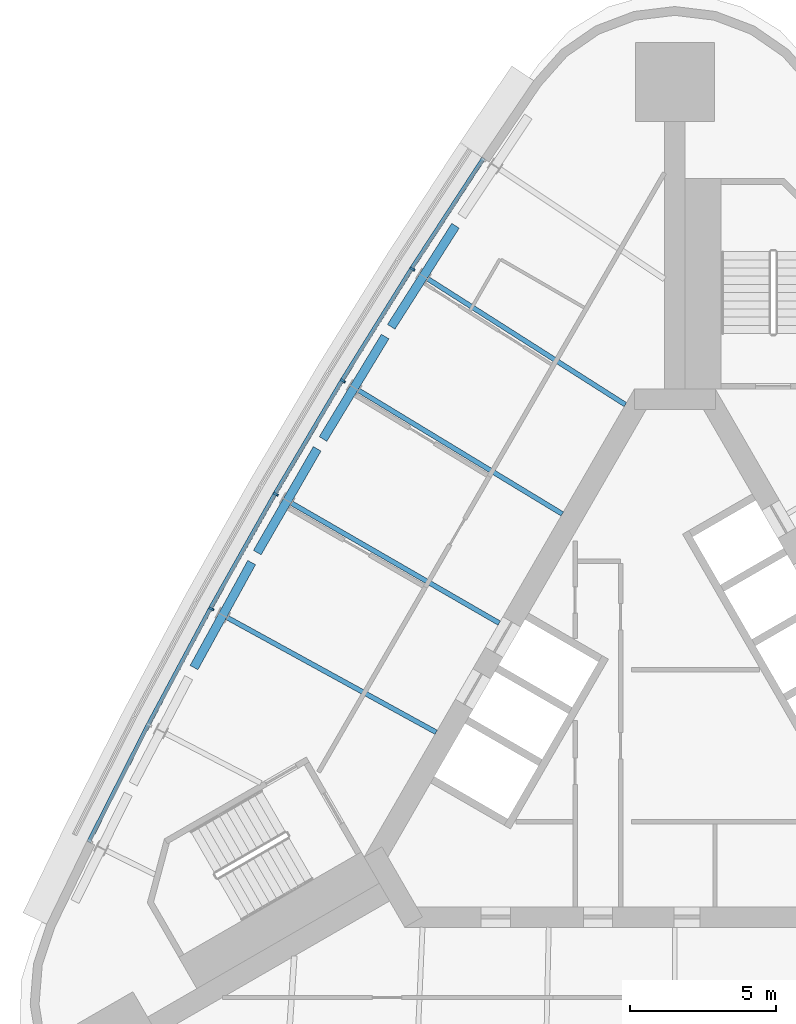
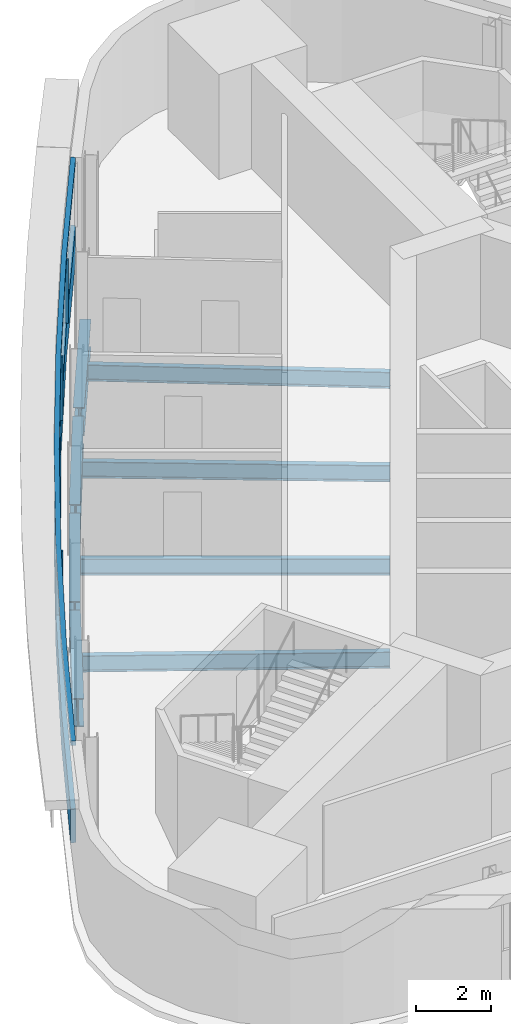
# One storey, part 3 of 10: 8 beams, 6 members, 1 element without a shape of its own.
"""IFC4 building model written with IfcOpenShell, lengths in metres."""

from ifc_helpers import new_model, si_unit, direction, frame, origin, origin_2d, place, context, subcontext, project, spatial, polyline, rectangle, i_section, outline, extrude, material, material_profile, profile_set, type_object, element, aggregate, save


model = new_model("IFC4")

# Units and contexts
model_context = context("Model", 3, precision=1e-05, world=origin(), true_north=direction((0.0, 1.0)))
body_context = subcontext(model_context, "Body", "Model", "MODEL_VIEW")
ifc_project = project(units=[si_unit("LENGTHUNIT", "METRE"), si_unit("AREAUNIT", "SQUARE_METRE"), si_unit("VOLUMEUNIT", "CUBIC_METRE"), si_unit("PLANEANGLEUNIT", "RADIAN"), si_unit("MASSUNIT", "GRAM", prefix="KILO")], contexts=[model_context])

# Site, building, storey
site_placement = place(None, origin())
site = spatial("IfcSite", under=ifc_project, at=site_placement, CompositionType="ELEMENT")
building_placement = place(site_placement, origin())
building = spatial("IfcBuilding", under=site, at=building_placement, Name="Noor Cloister Tower", CompositionType="ELEMENT")
storey_placement = place(building_placement, frame((0.0, 0.0, 192.300048828125)))
storey = spatial("IfcBuildingStorey", under=building, at=storey_placement, Name="L49", CompositionType="ELEMENT", Elevation=192.300048828125)

# Curtain wall, members
ifc_material_1 = material(Name="Aluminium 6063-T6 anodised", Category="aluminium")
curtain_wall_type = type_object("IfcCurtainWallType", Name="Ribbon curtain wall, upper tower CW5", PredefinedType="NOTDEFINED", material=ifc_material_1)
curtain_wall_placement = place(storey_placement, origin())
curtain_wall = element("IfcCurtainWall", 1, at=curtain_wall_placement, inside=storey, type_object=curtain_wall_type, Name="CW5 L49 NW run 1", PredefinedType="NOTDEFINED")
ifc_material_2 = material(Name="Aluminium 6063-T6 anodised", Category="aluminium")
member_type_1 = type_object("IfcMemberType", Name="Head transom CW5 150", PredefinedType="USERDEFINED", material=ifc_material_2)
member_1_placement = place(storey_placement, frame((0.0, 0.0, 3.14990234375)))
member_1 = element("IfcMember", 2, at=member_1_placement, type_object=member_type_1, Name="CW5 head transom", ObjectType="TRANSOM", PredefinedType="USERDEFINED", context=body_context, shape_type="SweptSolid", body=[
    extrude(outline(polyline([(-6.59521484375, 19.38525390625), (-9.052490234375, 15.615478515625), (-11.427734375, 11.79345703125), (-13.7197265625, 7.921142578125), (-15.927490234375, 4.0), (-18.0498046875, 0.031982421875), (-20.085693359375, -3.98095703125), (-19.960693359375, -4.04443359375), (-17.925537109375, -0.03271484375), (-15.8046875, 3.9326171875), (-13.598388671875, 7.85107421875), (-11.30810546875, 11.720947265625), (-8.934326171875, 15.540283203125), (-6.477783203125, 19.308837890625), (-6.59521484375, 19.38525390625)])), origin(), (0.0, 0.0, 1.0), 0.150146484375),
])
ifc_material_3 = material(Name="Aluminium 6063-T6 anodised", Category="aluminium")
ifc_material_profile_1 = material_profile(ifc_material_3, rectangle(XDim=0.179931640625, YDim=0.070068359375, at=origin_2d()), Name="180 x 70 mullion")
ifc_profile_set_1 = profile_set([ifc_material_profile_1], Name="Aluminium 6063-T6 anodised")
member_type_2 = type_object("IfcMemberType", Name="Mullion CW5 70 x 180", PredefinedType="MULLION", material=ifc_profile_set_1)
member_2_placement = place(storey_placement, frame((-8.96826171875, 15.561767578125, 1.099853515625), z_axis=(0.0, 0.0, 1.0), x_axis=(0.843580878103, -0.537002143478, 0.0)))
member_2 = element("IfcMember", 3, at=member_2_placement, type_object=member_type_2, Name="CW5 mullion 2", PredefinedType="MULLION", context=body_context, shape_type="SweptSolid", body=[
    extrude(rectangle(XDim=0.179931640625, YDim=0.070068359375, at=origin_2d()), origin(), (0.0, 0.0, 1.0), 2.050048828125),
])
member_3_placement = place(storey_placement, frame((-11.34228515625, 11.74169921875, 1.099853515625), z_axis=(0.0, 0.0, 1.0), x_axis=(0.855003332989, -0.518622502961, 0.0)))
member_3 = element("IfcMember", 4, at=member_3_placement, type_object=member_type_2, Name="CW5 mullion 3", PredefinedType="MULLION", context=body_context, shape_type="SweptSolid", body=[
    extrude(rectangle(XDim=0.179931640625, YDim=0.070068359375, at=origin_2d()), origin(), (0.0, 0.0, 1.0), 2.050048828125),
])
member_4_placement = place(storey_placement, frame((-13.633056640625, 7.87109375, 1.099853515625), z_axis=(0.0, 0.0, 1.0), x_axis=(0.866025403784, -0.5, 0.0)))
member_4 = element("IfcMember", 5, at=member_4_placement, type_object=member_type_2, Name="CW5 mullion 4", PredefinedType="MULLION", context=body_context, shape_type="SweptSolid", body=[
    extrude(rectangle(XDim=0.179931640625, YDim=0.070068359375, at=origin_2d()), origin(), (0.0, 0.0, 1.0), 2.050048828125),
])
member_5_placement = place(storey_placement, frame((-15.83984375, 3.951904296875, 1.099853515625), z_axis=(0.0, 0.0, 1.0), x_axis=(0.876641929033, -0.481143355208, 0.0)))
member_5 = element("IfcMember", 6, at=member_5_placement, type_object=member_type_2, Name="CW5 mullion 5", PredefinedType="MULLION", context=body_context, shape_type="SweptSolid", body=[
    extrude(rectangle(XDim=0.179931640625, YDim=0.070068359375, at=origin_2d()), origin(), (0.0, 0.0, 1.0), 2.050048828125),
])

# Beams
ifc_material_4 = material(Name="Steel ASTM A992 Gr 50", Category="steel")
ifc_material_profile_2 = material_profile(ifc_material_4, i_section(OverallWidth=0.166015625, OverallDepth=0.528076171875, WebThickness=0.009765625, FlangeThickness=0.013671875, FilletRadius=0.0126953125, at=origin_2d()), Name="W530x74")
ifc_profile_set_2 = profile_set([ifc_material_profile_2], Name="Steel ASTM A992 Gr 50")
beam_type_1 = type_object("IfcBeamType", Name="Radial beam W530x74", PredefinedType="BEAM", material=ifc_profile_set_2)
beam_1_placement = place(storey_placement, frame((-8.4599609375, 15.23828125, -0.464111328125), z_axis=(0.843588823632, -0.536989661579, 0.0), x_axis=(0.536989661579, 0.843588823632, 0.0)))
element("IfcBeam", 7, at=beam_1_placement, inside=storey, type_object=beam_type_1, Name="Radial beam NW 02 L49", PredefinedType="BEAM", context=body_context, shape_type="SweptSolid", body=[
    extrude(i_section(OverallWidth=0.166015625, OverallDepth=0.528076171875, WebThickness=0.009765625, FlangeThickness=0.013671875, FilletRadius=0.0126953125, at=origin_2d()), origin(), (0.0, 0.0, 1.0), 8.02490234375),
])
beam_2_placement = place(storey_placement, frame((-10.8271484375, 11.42919921875, -0.464111328125), z_axis=(0.855008203018, -0.518614474125, 0.0), x_axis=(0.518614474125, 0.855008203018, 0.0)))
element("IfcBeam", 8, at=beam_2_placement, inside=storey, type_object=beam_type_1, Name="Radial beam NW 03 L49", PredefinedType="BEAM", context=body_context, shape_type="SweptSolid", body=[
    extrude(i_section(OverallWidth=0.166015625, OverallDepth=0.528076171875, WebThickness=0.009765625, FlangeThickness=0.013671875, FilletRadius=0.0126953125, at=origin_2d()), origin(), (0.0, 0.0, 1.0), 8.164794921875),
])
beam_3_placement = place(storey_placement, frame((-13.111328125, 7.56982421875, -0.464111328125), z_axis=(0.86602615874, -0.499998692376, 0.0), x_axis=(0.499998692376, 0.86602615874, 0.0)))
element("IfcBeam", 9, at=beam_3_placement, inside=storey, type_object=beam_type_1, Name="Radial beam NW 04 L49", PredefinedType="BEAM", context=body_context, shape_type="SweptSolid", body=[
    extrude(i_section(OverallWidth=0.166015625, OverallDepth=0.528076171875, WebThickness=0.009765625, FlangeThickness=0.013671875, FilletRadius=0.0126953125, at=origin_2d()), origin(), (0.0, 0.0, 1.0), 8.21142578125),
])
beam_4_placement = place(storey_placement, frame((-15.3115234375, 3.661865234375, -0.464111328125), z_axis=(0.876643592252, -0.481140324815, 0.0), x_axis=(0.481140324815, 0.876643592252, 0.0)))
element("IfcBeam", 10, at=beam_4_placement, inside=storey, type_object=beam_type_1, Name="Radial beam NW 05 L49", PredefinedType="BEAM", context=body_context, shape_type="SweptSolid", body=[
    extrude(i_section(OverallWidth=0.166015625, OverallDepth=0.528076171875, WebThickness=0.009765625, FlangeThickness=0.013671875, FilletRadius=0.0126953125, at=origin_2d()), origin(), (0.0, 0.0, 1.0), 8.164794921875),
])

# Member
ifc_material_5 = material(Name="Aluminium 6063-T6 anodised", Category="aluminium")
member_type_3 = type_object("IfcMemberType", Name="Sill transom CW5 1100", PredefinedType="USERDEFINED", material=ifc_material_5)
member_6_placement = place(storey_placement, origin())
member_6 = element("IfcMember", 11, at=member_6_placement, type_object=member_type_3, Name="CW5 sill transom", ObjectType="TRANSOM", PredefinedType="USERDEFINED", context=body_context, shape_type="SweptSolid", body=[
    extrude(outline(polyline([(-6.59521484375, 19.38525390625), (-9.052490234375, 15.615478515625), (-11.427734375, 11.79345703125), (-13.7197265625, 7.921142578125), (-15.927490234375, 4.0), (-18.0498046875, 0.031982421875), (-20.085693359375, -3.98095703125), (-19.960693359375, -4.04443359375), (-17.925537109375, -0.03271484375), (-15.8046875, 3.9326171875), (-13.598388671875, 7.85107421875), (-11.30810546875, 11.720947265625), (-8.934326171875, 15.540283203125), (-6.477783203125, 19.308837890625), (-6.59521484375, 19.38525390625)])), origin(), (0.0, 0.0, 1.0), 1.099853515625),
])

aggregate(curtain_wall, [member_2, member_3, member_4, member_5, member_6, member_1])

# Beams
ifc_material_6 = material(Name="Steel ASTM A992 Gr 50", Category="steel")
ifc_material_profile_3 = material_profile(ifc_material_6, i_section(OverallWidth=0.304931640625, OverallDepth=0.9189453125, WebThickness=0.017333984375, FlangeThickness=0.02783203125, FilletRadius=0.01904296875, at=origin_2d()), Name="W920x253")
ifc_profile_set_3 = profile_set([ifc_material_profile_3], Name="Steel ASTM A992 Gr 50")
beam_type_2 = type_object("IfcBeamType", Name="Transfer girder W920x253", PredefinedType="BEAM", material=ifc_profile_set_3)
beam_5_placement = place(storey_placement, frame((-7.493896484375, 17.041259765625, -0.65966796875), z_axis=(-0.536640095143, -0.843811239724, 0.0), x_axis=(0.843811239724, -0.536640095143, 0.0)))
element("IfcBeam", 12, at=beam_5_placement, inside=storey, type_object=beam_type_2, Name="Transfer girder NW 02 L49", PredefinedType="BEAM", context=body_context, shape_type="SweptSolid", body=[
    extrude(i_section(OverallWidth=0.304931640625, OverallDepth=0.9189453125, WebThickness=0.017333984375, FlangeThickness=0.02783203125, FilletRadius=0.01904296875, at=origin_2d()), origin(), (0.0, 0.0, 1.0), 4.093994140625),
])
beam_6_placement = place(storey_placement, frame((-9.898193359375, 13.255615234375, -0.65966796875), z_axis=(-0.518436511351, -0.855116122932, 0.0), x_axis=(0.855116122932, -0.518436511351, 0.0)))
element("IfcBeam", 13, at=beam_6_placement, inside=storey, type_object=beam_type_2, Name="Transfer girder NW 03 L49", PredefinedType="BEAM", context=body_context, shape_type="SweptSolid", body=[
    extrude(i_section(OverallWidth=0.304931640625, OverallDepth=0.9189453125, WebThickness=0.017333984375, FlangeThickness=0.02783203125, FilletRadius=0.01904296875, at=origin_2d()), origin(), (0.0, 0.0, 1.0), 4.09423828125),
])
beam_7_placement = place(storey_placement, frame((-12.219970703125, 9.4189453125, -0.65966796875), z_axis=(-0.499961627599, -0.866047556967, 0.0), x_axis=(0.866047556967, -0.499961627599, 0.0)))
element("IfcBeam", 14, at=beam_7_placement, inside=storey, type_object=beam_type_2, Name="Transfer girder NW 04 L49", PredefinedType="BEAM", context=body_context, shape_type="SweptSolid", body=[
    extrude(i_section(OverallWidth=0.304931640625, OverallDepth=0.9189453125, WebThickness=0.017333984375, FlangeThickness=0.02783203125, FilletRadius=0.01904296875, at=origin_2d()), origin(), (0.0, 0.0, 1.0), 4.093994140625),
])
beam_8_placement = place(storey_placement, frame((-14.458251953125, 5.532958984375, -0.65966796875), z_axis=(-0.481323495335, -0.87654303536, 0.0), x_axis=(0.87654303536, -0.481323495335, 0.0)))
element("IfcBeam", 15, at=beam_8_placement, inside=storey, type_object=beam_type_2, Name="Transfer girder NW 05 L49", PredefinedType="BEAM", context=body_context, shape_type="SweptSolid", body=[
    extrude(i_section(OverallWidth=0.304931640625, OverallDepth=0.9189453125, WebThickness=0.017333984375, FlangeThickness=0.02783203125, FilletRadius=0.01904296875, at=origin_2d()), origin(), (0.0, 0.0, 1.0), 4.09423828125),
])

save(model, "model.ifc")
